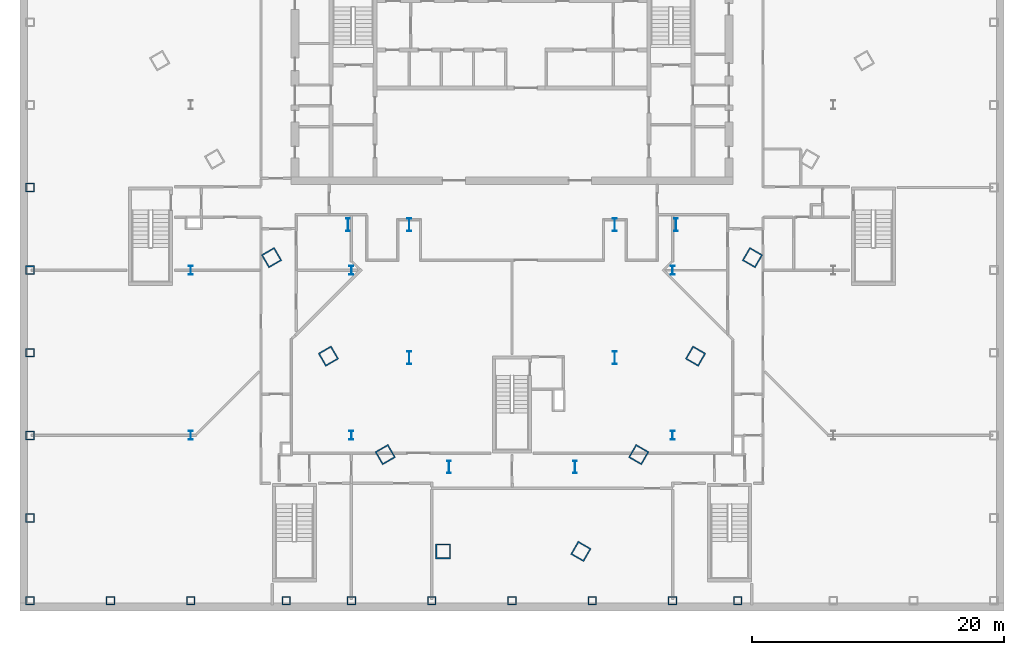
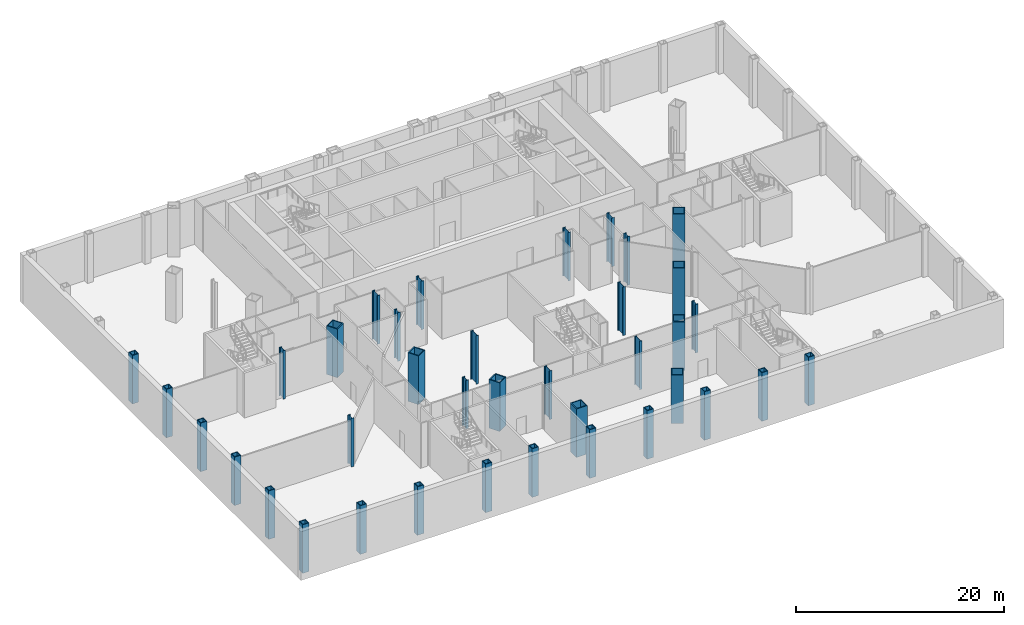
# One storey, part 1 of 17: 37 columns.
"""IFC4 building model written with IfcOpenShell, lengths in metres."""

from ifc_helpers import new_model, si_unit, direction, frame, origin, origin_2d, place, context, subcontext, project, spatial, hollow_rectangle, i_section, extrude, material, material_profile, profile_set, type_object, element, save


model = new_model("IFC4")

# Units and contexts
model_context = context("Model", 3, precision=1e-05, world=origin(), true_north=direction((0.0, 1.0)))
body_context = subcontext(model_context, "Body", "Model", "MODEL_VIEW")
ifc_project = project(units=[si_unit("LENGTHUNIT", "METRE"), si_unit("AREAUNIT", "SQUARE_METRE"), si_unit("VOLUMEUNIT", "CUBIC_METRE"), si_unit("PLANEANGLEUNIT", "RADIAN"), si_unit("MASSUNIT", "GRAM", prefix="KILO")], contexts=[model_context])

# Site, building, storey
site_placement = place(None, origin())
site = spatial("IfcSite", under=ifc_project, at=site_placement, CompositionType="ELEMENT")
building_placement = place(site_placement, origin())
building = spatial("IfcBuilding", under=site, at=building_placement, Name="Njiva Tower", CompositionType="ELEMENT")
storey_placement = place(building_placement, frame((0.0, 0.0, -11.4)))
storey = spatial("IfcBuildingStorey", under=building, at=storey_placement, Name="B2", CompositionType="ELEMENT", Elevation=-11.4)

# Columns
ifc_material = material(Name="Steel S355 J2", Category="steel")
ifc_material_profile_1 = material_profile(ifc_material, hollow_rectangle(XDim=1.2, YDim=1.2, WallThickness=0.1, at=origin_2d()), Name="BOX 1200x1200x100")
ifc_profile_set_1 = profile_set([ifc_material_profile_1], Name="Steel S355 J2")
column_type_1 = type_object("IfcColumnType", Name="C1 Mega-column BOX 1200x1200x100", PredefinedType="COLUMN", material=ifc_profile_set_1)
for number, where, z_axis, x_axis, name in (
    (1, (-19.061, -5.807, 0.0), (0.0, 0.0, 1.0), (0.5, -0.866025403784, 0.0), "Mega-column B2-C09"),
    (2, (-14.553, -13.615, 0.0), (0.0, 0.0, 1.0), (0.5, -0.866025403784, 0.0), "Mega-column B2-C10"),
    (3, (-10.046, -21.422, 0.0), (0.0, 0.0, 1.0), (0.5, -0.866025403784, 0.0), "Mega-column B2-C11"),
    (4, (-5.461, -29.096, 0.0), (0.0, 0.0, 1.0), (1.0, 0.0, 0.0), "Mega-column B2-C12"),
    (5, (5.461, -29.096, 0.0), (0.0, 0.0, 1.0), (0.5, 0.866025403784, 0.0), "Mega-column B2-C13"),
    (6, (10.046, -21.422, 0.0), (0.0, 0.0, 1.0), (0.5, 0.866025403784, 0.0), "Mega-column B2-C14"),
    (7, (14.553, -13.615, 0.0), (0.0, 0.0, 1.0), (0.5, 0.866025403784, 0.0), "Mega-column B2-C15"),
    (8, (19.061, -5.807, 0.0), (0.0, 0.0, 1.0), (0.5, 0.866025403784, 0.0), "Mega-column B2-C16"),
):
    element("IfcColumn", number, at=place(storey_placement, frame(where, z_axis=z_axis, x_axis=x_axis)), inside=storey, type_object=column_type_1, Name=name, PredefinedType="COLUMN", context=body_context, shape_type="SweptSolid", body=[
        extrude(hollow_rectangle(XDim=1.2, YDim=1.2, WallThickness=0.1, at=origin_2d()), origin(), (0.0, 0.0, 1.0), 5.7),
    ])
ifc_material_profile_2 = material_profile(ifc_material, i_section(OverallWidth=0.302, OverallDepth=1.008, WebThickness=0.021, FlangeThickness=0.04, at=origin_2d()), Name="HEM 1000")
ifc_profile_set_2 = profile_set([ifc_material_profile_2], Name="Steel S355 J2")
column_type_2 = type_object("IfcColumnType", Name="C2 Interior column HEM 1000", PredefinedType="COLUMN", material=ifc_profile_set_2)
for number, where, z_axis, x_axis, name in (
    (9, (8.15, -3.2, 0.0), (0.0, 0.0, 1.0), (1.0, 0.0, 0.0), "Interior column B2-C19"),
    (10, (-8.15, -3.2, 0.0), (0.0, 0.0, 1.0), (1.0, 0.0, 0.0), "Interior column B2-C20"),
    (11, (8.15, -13.75, 0.0), (0.0, 0.0, 1.0), (1.0, 0.0, 0.0), "Interior column B2-C21"),
    (12, (-8.15, -13.75, 0.0), (0.0, 0.0, 1.0), (1.0, 0.0, 0.0), "Interior column B2-C22"),
    (13, (5.0, -22.4, 0.0), (0.0, 0.0, 1.0), (1.0, 0.0, 0.0), "Interior column B2-C23"),
    (14, (-5.0, -22.4, 0.0), (0.0, 0.0, 1.0), (1.0, 0.0, 0.0), "Interior column B2-C24"),
    (15, (13.0, -3.2, 0.0), (0.0, 0.0, 1.0), (1.0, 0.0, 0.0), "Interior column B2-C25"),
    (16, (-13.0, -3.2, 0.0), (0.0, 0.0, 1.0), (1.0, 0.0, 0.0), "Interior column B2-C26"),
):
    element("IfcColumn", number, at=place(storey_placement, frame(where, z_axis=z_axis, x_axis=x_axis)), inside=storey, type_object=column_type_2, Name=name, PredefinedType="COLUMN", context=body_context, shape_type="SweptSolid", body=[
        extrude(i_section(OverallWidth=0.302, OverallDepth=1.008, WebThickness=0.021, FlangeThickness=0.04, at=origin_2d()), origin(), (0.0, 0.0, 1.0), 5.7),
    ])
ifc_material_profile_3 = material_profile(ifc_material, hollow_rectangle(XDim=0.7, YDim=0.7, WallThickness=0.08, at=origin_2d()), Name="BOX 700x700x80")
ifc_profile_set_3 = profile_set([ifc_material_profile_3], Name="Steel S355 J2")
column_type_3 = type_object("IfcColumnType", Name="C3 Podium perimeter column BOX 700x700x80", PredefinedType="COLUMN", material=ifc_profile_set_3)
for number, where, z_axis, x_axis, name in (
    (17, (-38.2, -0.25, 0.0), (0.0, 0.0, 1.0), (0.0, -1.0, 0.0), "Podium perimeter column B2-C45"),
    (18, (-38.2, -6.8, 0.0), (0.0, 0.0, 1.0), (0.0, -1.0, 0.0), "Podium perimeter column B2-C46"),
    (19, (-38.2, -13.35, 0.0), (0.0, 0.0, 1.0), (0.0, -1.0, 0.0), "Podium perimeter column B2-C47"),
    (20, (-38.2, -19.9, 0.0), (0.0, 0.0, 1.0), (0.0, -1.0, 0.0), "Podium perimeter column B2-C48"),
    (21, (-38.2, -26.45, 0.0), (0.0, 0.0, 1.0), (0.0, -1.0, 0.0), "Podium perimeter column B2-C49"),
    (22, (-38.2, -33.0, 0.0), (0.0, 0.0, 1.0), (1.0, 0.0, 0.0), "Podium perimeter column B2-C50"),
    (23, (-31.833, -33.0, 0.0), (0.0, 0.0, 1.0), (1.0, 0.0, 0.0), "Podium perimeter column B2-C51"),
    (24, (-25.467, -33.0, 0.0), (0.0, 0.0, 1.0), (1.0, 0.0, 0.0), "Podium perimeter column B2-C52"),
    (25, (-17.9, -33.0, 0.0), (0.0, 0.0, 1.0), (1.0, 0.0, 0.0), "Podium perimeter column B2-C53"),
    (26, (-12.733, -33.0, 0.0), (0.0, 0.0, 1.0), (1.0, 0.0, 0.0), "Podium perimeter column B2-C54"),
    (27, (-6.367, -33.0, 0.0), (0.0, 0.0, 1.0), (1.0, 0.0, 0.0), "Podium perimeter column B2-C55"),
    (28, (0.0, -33.0, 0.0), (0.0, 0.0, 1.0), (1.0, 0.0, 0.0), "Podium perimeter column B2-C56"),
    (29, (6.367, -33.0, 0.0), (0.0, 0.0, 1.0), (1.0, 0.0, 0.0), "Podium perimeter column B2-C57"),
    (30, (12.733, -33.0, 0.0), (0.0, 0.0, 1.0), (1.0, 0.0, 0.0), "Podium perimeter column B2-C58"),
    (31, (17.9, -33.0, 0.0), (0.0, 0.0, 1.0), (1.0, 0.0, 0.0), "Podium perimeter column B2-C59"),
):
    element("IfcColumn", number, at=place(storey_placement, frame(where, z_axis=z_axis, x_axis=x_axis)), inside=storey, type_object=column_type_3, Name=name, PredefinedType="COLUMN", context=body_context, shape_type="SweptSolid", body=[
        extrude(hollow_rectangle(XDim=0.7, YDim=0.7, WallThickness=0.08, at=origin_2d()), origin(), (0.0, 0.0, 1.0), 5.7),
    ])
ifc_material_profile_4 = material_profile(ifc_material, i_section(OverallWidth=0.304, OverallDepth=0.716, WebThickness=0.021, FlangeThickness=0.04, at=origin_2d()), Name="HEM 700")
ifc_profile_set_4 = profile_set([ifc_material_profile_4], Name="Steel S355 J2")
column_type_4 = type_object("IfcColumnType", Name="C4 Station column HEM 700", PredefinedType="COLUMN", material=ifc_profile_set_4)
for number, where, z_axis, x_axis, name in (
    (32, (-25.467, -6.8, 0.0), (0.0, 0.0, 1.0), (1.0, 0.0, 0.0), "Station column B2-C63"),
    (33, (-25.467, -19.9, 0.0), (0.0, 0.0, 1.0), (1.0, 0.0, 0.0), "Station column B2-C64"),
    (34, (-12.733, -6.8, 0.0), (0.0, 0.0, 1.0), (1.0, 0.0, 0.0), "Station column B2-C65"),
    (35, (-12.733, -19.9, 0.0), (0.0, 0.0, 1.0), (1.0, 0.0, 0.0), "Station column B2-C66"),
    (36, (12.733, -6.8, 0.0), (0.0, 0.0, 1.0), (1.0, 0.0, 0.0), "Station column B2-C67"),
    (37, (12.733, -19.9, 0.0), (0.0, 0.0, 1.0), (1.0, 0.0, 0.0), "Station column B2-C68"),
):
    element("IfcColumn", number, at=place(storey_placement, frame(where, z_axis=z_axis, x_axis=x_axis)), inside=storey, type_object=column_type_4, Name=name, PredefinedType="COLUMN", context=body_context, shape_type="SweptSolid", body=[
        extrude(i_section(OverallWidth=0.304, OverallDepth=0.716, WebThickness=0.021, FlangeThickness=0.04, at=origin_2d()), origin(), (0.0, 0.0, 1.0), 5.7),
    ])

save(model, "model.ifc")
